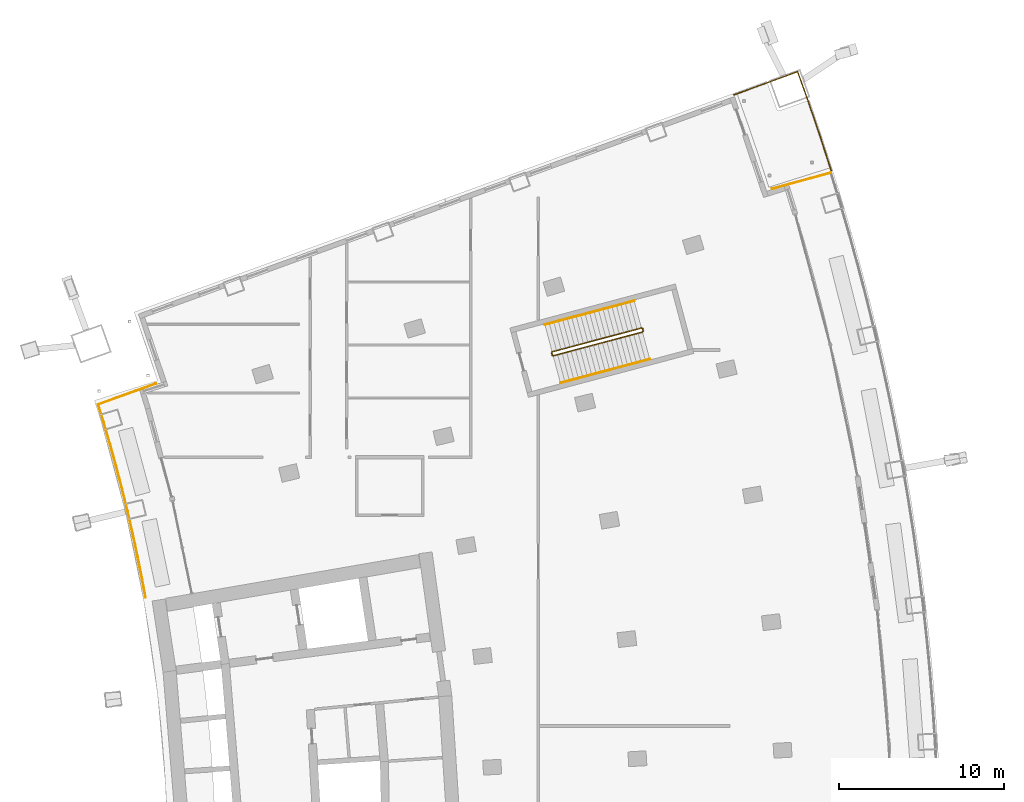
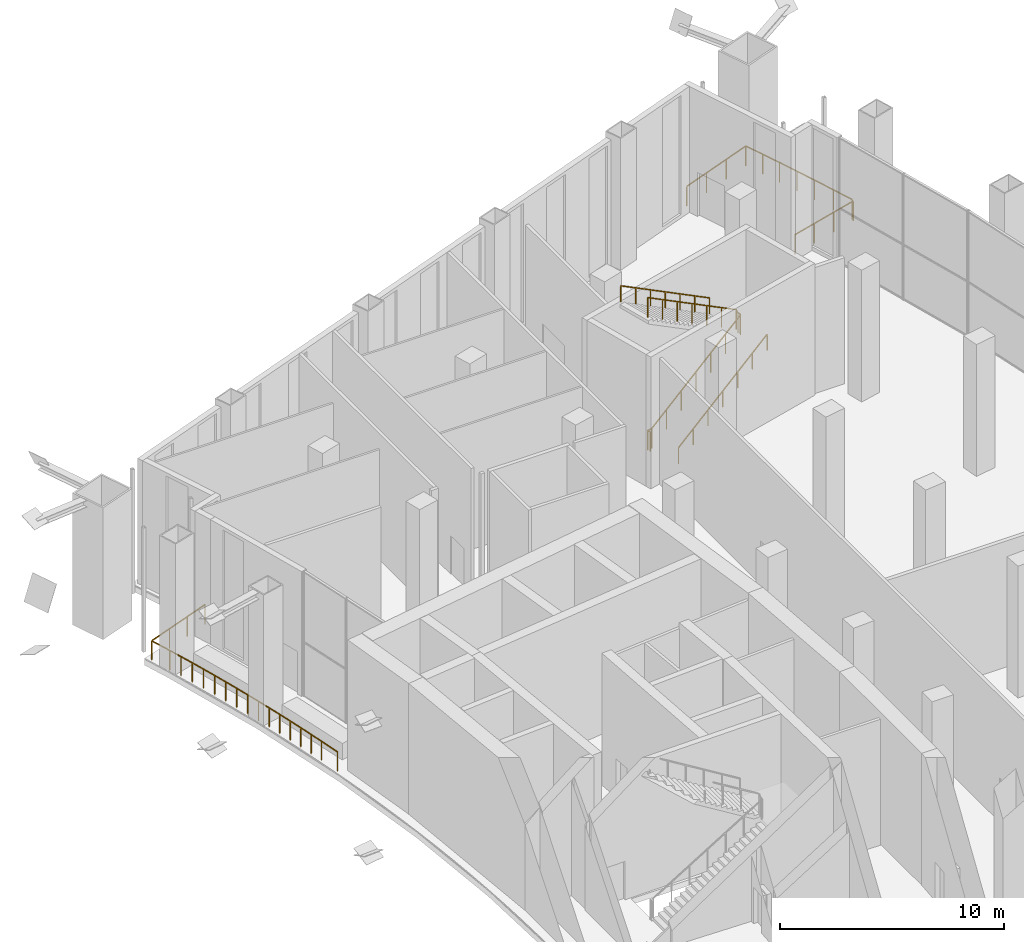
# One storey, part 26 of 27: 7 railings.
"""IFC4 building model written with IfcOpenShell, lengths in metres."""

from ifc_helpers import new_model, si_unit, direction, frame, origin, origin_2d, place, context, subcontext, project, spatial, rectangle, extrude, material, type_object, element, save


model = new_model("IFC4")

# Units and contexts
model_context = context("Model", 3, precision=1e-05, world=origin(), true_north=direction((0.0, 1.0)))
body_context = subcontext(model_context, "Body", "Model", "MODEL_VIEW")
ifc_project = project(units=[si_unit("LENGTHUNIT", "METRE"), si_unit("AREAUNIT", "SQUARE_METRE"), si_unit("VOLUMEUNIT", "CUBIC_METRE"), si_unit("PLANEANGLEUNIT", "RADIAN"), si_unit("MASSUNIT", "GRAM", prefix="KILO")], contexts=[model_context])

# Site, building, storey
site_placement = place(None, origin())
site = spatial("IfcSite", under=ifc_project, at=site_placement, CompositionType="ELEMENT")
building_placement = place(site_placement, origin())
building = spatial("IfcBuilding", under=site, at=building_placement, Name="Alderwake Tower", CompositionType="ELEMENT")
storey_placement = place(building_placement, frame((0.0, 0.0, 75.199951171875)))
storey = spatial("IfcBuildingStorey", under=building, at=storey_placement, Name="L18", CompositionType="ELEMENT", Elevation=75.199951171875)

# Railings
ifc_material_1 = material(Name="Stainless steel 316 rail and posts", Category="steel")
railing_type_1 = type_object("IfcRailingType", Name="Balcony guard 1100", PredefinedType="GUARDRAIL", material=ifc_material_1)
railing_1_placement = place(storey_placement, frame((56.12060546875, 103.831298828125, 0.0)))
element("IfcRailing", 1, at=railing_1_placement, inside=storey, type_object=railing_type_1, Name="Guard terrace FN", PredefinedType="GUARDRAIL", context=body_context, shape_type="SweptSolid", body=[
    extrude(rectangle(XDim=0.048095703125, YDim=0.048095703125, at=origin_2d()), frame((0.0, 0.0, 1.076171875), z_axis=(-0.307834534449, 0.951439908455, 0.0), x_axis=(-0.951439908455, -0.307834534449, 0.0)), (0.0, 0.0, 1.0), 2.281005859375),
    extrude(rectangle(XDim=0.048095703125, YDim=0.048095703125, at=origin_2d()), frame((-0.7021484375, 2.170166015625, 1.076171875), z_axis=(-0.322274982341, 0.946646098475, 0.0), x_axis=(-0.946646098475, -0.322274982341, 0.0)), (0.0, 0.0, 1.0), 2.0810546875),
    extrude(rectangle(XDim=0.048095703125, YDim=0.048095703125, at=origin_2d()), frame((-1.372802734375, 4.14013671875, 1.076171875), z_axis=(-0.335680571726, 0.941975877486, 0.0), x_axis=(-0.941975877486, -0.335680571726, 0.0)), (0.0, 0.0, 1.0), 1.981201171875),
    extrude(rectangle(XDim=0.048095703125, YDim=0.048095703125, at=origin_2d()), frame((-2.037841796875, 6.00634765625, 1.076171875), z_axis=(-0.939605522223, -0.34225934992, 0.0), x_axis=(0.34225934992, -0.939605522223, 0.0)), (0.0, 0.0, 1.0), 4.10009765625),
    extrude(rectangle(XDim=0.0419921875, YDim=0.0419921875, at=origin_2d()), frame((0.0, 0.0, 0.0), z_axis=(0.0, 0.0, 1.0), x_axis=(-0.307834534449, 0.951439908455, 0.0)), (0.0, 0.0, 1.0), 1.052001953125),
    extrude(rectangle(XDim=0.0419921875, YDim=0.0419921875, at=origin_2d()), frame((-0.35107421875, 1.0849609375, 0.0), z_axis=(0.0, 0.0, 1.0), x_axis=(-0.307834534449, 0.951439908455, 0.0)), (0.0, 0.0, 1.0), 1.052001953125),
    extrude(rectangle(XDim=0.0419921875, YDim=0.0419921875, at=origin_2d()), frame((-0.7021484375, 2.170166015625, 0.0), z_axis=(0.0, 0.0, 1.0), x_axis=(-0.322274982341, 0.946646098475, 0.0)), (0.0, 0.0, 1.0), 1.052001953125),
    extrude(rectangle(XDim=0.0419921875, YDim=0.0419921875, at=origin_2d()), frame((-1.03759765625, 3.1552734375, 0.0), z_axis=(0.0, 0.0, 1.0), x_axis=(-0.322274982341, 0.946646098475, 0.0)), (0.0, 0.0, 1.0), 1.052001953125),
    extrude(rectangle(XDim=0.0419921875, YDim=0.0419921875, at=origin_2d()), frame((-1.372802734375, 4.14013671875, 0.0), z_axis=(0.0, 0.0, 1.0), x_axis=(-0.335680571726, 0.941975877486, 0.0)), (0.0, 0.0, 1.0), 1.052001953125),
    extrude(rectangle(XDim=0.0419921875, YDim=0.0419921875, at=origin_2d()), frame((-1.705322265625, 5.0732421875, 0.0), z_axis=(0.0, 0.0, 1.0), x_axis=(-0.335680571726, 0.941975877486, 0.0)), (0.0, 0.0, 1.0), 1.052001953125),
    extrude(rectangle(XDim=0.0419921875, YDim=0.0419921875, at=origin_2d()), frame((-2.037841796875, 6.00634765625, 0.0), z_axis=(0.0, 0.0, 1.0), x_axis=(-0.939605522223, -0.34225934992, 0.0)), (0.0, 0.0, 1.0), 1.052001953125),
    extrude(rectangle(XDim=0.0419921875, YDim=0.0419921875, at=origin_2d()), frame((-3.322021484375, 5.53857421875, 0.0), z_axis=(0.0, 0.0, 1.0), x_axis=(-0.939605522223, -0.34225934992, 0.0)), (0.0, 0.0, 1.0), 1.052001953125),
    extrude(rectangle(XDim=0.0419921875, YDim=0.0419921875, at=origin_2d()), frame((-4.606201171875, 5.07080078125, 0.0), z_axis=(0.0, 0.0, 1.0), x_axis=(-0.939605522223, -0.34225934992, 0.0)), (0.0, 0.0, 1.0), 1.052001953125),
    extrude(rectangle(XDim=0.0419921875, YDim=0.0419921875, at=origin_2d()), frame((-5.890380859375, 4.60302734375, 0.0), z_axis=(0.0, 0.0, 1.0), x_axis=(-0.939605522223, -0.34225934992, 0.0)), (0.0, 0.0, 1.0), 1.052001953125),
])
railing_2_placement = place(storey_placement, frame((56.102783203125, 103.720703125, 0.0)))
element("IfcRailing", 2, at=railing_2_placement, inside=storey, type_object=railing_type_1, Name="Guard garden terrace front end", PredefinedType="GUARDRAIL", context=body_context, shape_type="SweptSolid", body=[
    extrude(rectangle(XDim=0.048095703125, YDim=0.048095703125, at=origin_2d()), frame((0.0, 0.0, 1.076171875), z_axis=(-0.964899114691, -0.262620826419, 0.0), x_axis=(0.262620826419, -0.964899114691, 0.0)), (0.0, 0.0, 1.0), 3.70263671875),
    extrude(rectangle(XDim=0.0419921875, YDim=0.0419921875, at=origin_2d()), frame((0.0, 0.0, 0.0), z_axis=(0.0, 0.0, 1.0), x_axis=(-0.964899114691, -0.262620826419, 0.0)), (0.0, 0.0, 1.0), 1.052001953125),
    extrude(rectangle(XDim=0.0419921875, YDim=0.0419921875, at=origin_2d()), frame((-1.19091796875, -0.32421875, 0.0), z_axis=(0.0, 0.0, 1.0), x_axis=(-0.964899114691, -0.262620826419, 0.0)), (0.0, 0.0, 1.0), 1.052001953125),
    extrude(rectangle(XDim=0.0419921875, YDim=0.0419921875, at=origin_2d()), frame((-2.3818359375, -0.648193359375, 0.0), z_axis=(0.0, 0.0, 1.0), x_axis=(-0.964899114691, -0.262620826419, 0.0)), (0.0, 0.0, 1.0), 1.052001953125),
    extrude(rectangle(XDim=0.0419921875, YDim=0.0419921875, at=origin_2d()), frame((-3.57275390625, -0.972412109375, 0.0), z_axis=(0.0, 0.0, 1.0), x_axis=(-0.964899114691, -0.262620826419, 0.0)), (0.0, 0.0, 1.0), 1.052001953125),
])
railing_3_placement = place(storey_placement, frame((14.62890625, 78.035888671875, 0.0)))
element("IfcRailing", 3, at=railing_3_placement, inside=storey, type_object=railing_type_1, Name="Guard garden terrace rear", PredefinedType="GUARDRAIL", context=body_context, shape_type="SweptSolid", body=[
    extrude(rectangle(XDim=0.048095703125, YDim=0.048095703125, at=origin_2d()), frame((0.0, 0.0, 1.076171875), z_axis=(-0.182977626426, 0.983117077579, 0.0), x_axis=(-0.983117077579, -0.182977626426, 0.0)), (0.0, 0.0, 1.0), 1.10205078125),
    extrude(rectangle(XDim=0.048095703125, YDim=0.048095703125, at=origin_2d()), frame((-0.20166015625, 1.08349609375, 1.076171875), z_axis=(-0.1955468343, 0.980694364007, 0.0), x_axis=(-0.980694364007, -0.1955468343, 0.0)), (0.0, 0.0, 1.0), 1.402099609375),
    extrude(rectangle(XDim=0.048095703125, YDim=0.048095703125, at=origin_2d()), frame((-0.475830078125, 2.45849609375, 1.076171875), z_axis=(-0.209957084556, 0.977710602707, 0.0), x_axis=(-0.977710602707, -0.209957084556, 0.0)), (0.0, 0.0, 1.0), 1.40234375),
    extrude(rectangle(XDim=0.048095703125, YDim=0.048095703125, at=origin_2d()), frame((-0.770263671875, 3.82958984375, 1.076171875), z_axis=(-0.224096426432, 0.974566976488, 0.0), x_axis=(-0.974566976488, -0.224096426432, 0.0)), (0.0, 0.0, 1.0), 1.402099609375),
    extrude(rectangle(XDim=0.048095703125, YDim=0.048095703125, at=origin_2d()), frame((-1.08447265625, 5.196044921875, 1.076171875), z_axis=(-0.238354767213, 0.971178153042, 0.0), x_axis=(-0.971178153042, -0.238354767213, 0.0)), (0.0, 0.0, 1.0), 1.40234375),
    extrude(rectangle(XDim=0.048095703125, YDim=0.048095703125, at=origin_2d()), frame((-1.418701171875, 6.557861328125, 1.076171875), z_axis=(-0.252478602314, 0.96760247797, 0.0), x_axis=(-0.96760247797, -0.252478602314, 0.0)), (0.0, 0.0, 1.0), 1.402099609375),
    extrude(rectangle(XDim=0.048095703125, YDim=0.048095703125, at=origin_2d()), frame((-1.772705078125, 7.91455078125, 1.076171875), z_axis=(-0.266386460688, 0.963866304817, 0.0), x_axis=(-0.963866304817, -0.266386460688, 0.0)), (0.0, 0.0, 1.0), 1.40234375),
    extrude(rectangle(XDim=0.048095703125, YDim=0.048095703125, at=origin_2d()), frame((-2.146240234375, 9.26611328125, 1.076171875), z_axis=(-0.280695326574, 0.959796923125, 0.0), x_axis=(-0.959796923125, -0.280695326574, 0.0)), (0.0, 0.0, 1.0), 1.402099609375),
    extrude(rectangle(XDim=0.048095703125, YDim=0.048095703125, at=origin_2d()), frame((-2.539794921875, 10.61181640625, 1.076171875), z_axis=(-0.293011807358, 0.95610882265, 0.0), x_axis=(-0.95610882265, -0.293011807358, 0.0)), (0.0, 0.0, 1.0), 1.102294921875),
    extrude(rectangle(XDim=0.0419921875, YDim=0.0419921875, at=origin_2d()), frame((0.0, 0.0, 0.0), z_axis=(0.0, 0.0, 1.0), x_axis=(-0.182977626426, 0.983117077579, 0.0)), (0.0, 0.0, 1.0), 1.052001953125),
    extrude(rectangle(XDim=0.0419921875, YDim=0.0419921875, at=origin_2d()), frame((-0.20166015625, 1.08349609375, 0.0), z_axis=(0.0, 0.0, 1.0), x_axis=(-0.1955468343, 0.980694364007, 0.0)), (0.0, 0.0, 1.0), 1.052001953125),
    extrude(rectangle(XDim=0.0419921875, YDim=0.0419921875, at=origin_2d()), frame((-0.3388671875, 1.77099609375, 0.0), z_axis=(0.0, 0.0, 1.0), x_axis=(-0.1955468343, 0.980694364007, 0.0)), (0.0, 0.0, 1.0), 1.052001953125),
    extrude(rectangle(XDim=0.0419921875, YDim=0.0419921875, at=origin_2d()), frame((-0.475830078125, 2.45849609375, 0.0), z_axis=(0.0, 0.0, 1.0), x_axis=(-0.209957084556, 0.977710602707, 0.0)), (0.0, 0.0, 1.0), 1.052001953125),
    extrude(rectangle(XDim=0.0419921875, YDim=0.0419921875, at=origin_2d()), frame((-0.623046875, 3.14404296875, 0.0), z_axis=(0.0, 0.0, 1.0), x_axis=(-0.209957084556, 0.977710602707, 0.0)), (0.0, 0.0, 1.0), 1.052001953125),
    extrude(rectangle(XDim=0.0419921875, YDim=0.0419921875, at=origin_2d()), frame((-0.770263671875, 3.82958984375, 0.0), z_axis=(0.0, 0.0, 1.0), x_axis=(-0.224096426432, 0.974566976488, 0.0)), (0.0, 0.0, 1.0), 1.052001953125),
    extrude(rectangle(XDim=0.0419921875, YDim=0.0419921875, at=origin_2d()), frame((-0.92724609375, 4.5126953125, 0.0), z_axis=(0.0, 0.0, 1.0), x_axis=(-0.224096426432, 0.974566976488, 0.0)), (0.0, 0.0, 1.0), 1.052001953125),
    extrude(rectangle(XDim=0.0419921875, YDim=0.0419921875, at=origin_2d()), frame((-1.08447265625, 5.196044921875, 0.0), z_axis=(0.0, 0.0, 1.0), x_axis=(-0.238354767213, 0.971178153042, 0.0)), (0.0, 0.0, 1.0), 1.052001953125),
    extrude(rectangle(XDim=0.0419921875, YDim=0.0419921875, at=origin_2d()), frame((-1.25146484375, 5.876953125, 0.0), z_axis=(0.0, 0.0, 1.0), x_axis=(-0.238354767213, 0.971178153042, 0.0)), (0.0, 0.0, 1.0), 1.052001953125),
    extrude(rectangle(XDim=0.0419921875, YDim=0.0419921875, at=origin_2d()), frame((-1.418701171875, 6.557861328125, 0.0), z_axis=(0.0, 0.0, 1.0), x_axis=(-0.252478602314, 0.96760247797, 0.0)), (0.0, 0.0, 1.0), 1.052001953125),
    extrude(rectangle(XDim=0.0419921875, YDim=0.0419921875, at=origin_2d()), frame((-1.595703125, 7.236328125, 0.0), z_axis=(0.0, 0.0, 1.0), x_axis=(-0.252478602314, 0.96760247797, 0.0)), (0.0, 0.0, 1.0), 1.052001953125),
    extrude(rectangle(XDim=0.0419921875, YDim=0.0419921875, at=origin_2d()), frame((-1.772705078125, 7.91455078125, 0.0), z_axis=(0.0, 0.0, 1.0), x_axis=(-0.266386460688, 0.963866304817, 0.0)), (0.0, 0.0, 1.0), 1.052001953125),
    extrude(rectangle(XDim=0.0419921875, YDim=0.0419921875, at=origin_2d()), frame((-1.95947265625, 8.59033203125, 0.0), z_axis=(0.0, 0.0, 1.0), x_axis=(-0.266386460688, 0.963866304817, 0.0)), (0.0, 0.0, 1.0), 1.052001953125),
    extrude(rectangle(XDim=0.0419921875, YDim=0.0419921875, at=origin_2d()), frame((-2.146240234375, 9.26611328125, 0.0), z_axis=(0.0, 0.0, 1.0), x_axis=(-0.280695326574, 0.959796923125, 0.0)), (0.0, 0.0, 1.0), 1.052001953125),
    extrude(rectangle(XDim=0.0419921875, YDim=0.0419921875, at=origin_2d()), frame((-2.343017578125, 9.93896484375, 0.0), z_axis=(0.0, 0.0, 1.0), x_axis=(-0.280695326574, 0.959796923125, 0.0)), (0.0, 0.0, 1.0), 1.052001953125),
    extrude(rectangle(XDim=0.0419921875, YDim=0.0419921875, at=origin_2d()), frame((-2.539794921875, 10.61181640625, 0.0), z_axis=(0.0, 0.0, 1.0), x_axis=(-0.293011807358, 0.95610882265, 0.0)), (0.0, 0.0, 1.0), 1.052001953125),
    extrude(rectangle(XDim=0.0419921875, YDim=0.0419921875, at=origin_2d()), frame((-2.86279296875, 11.665771484375, 0.0), z_axis=(0.0, 0.0, 1.0), x_axis=(-0.293011807358, 0.95610882265, 0.0)), (0.0, 0.0, 1.0), 1.052001953125),
])
railing_4_placement = place(storey_placement, frame((11.76611328125, 89.70166015625, 0.0)))
element("IfcRailing", 4, at=railing_4_placement, inside=storey, type_object=railing_type_1, Name="Guard garden terrace rear end", PredefinedType="GUARDRAIL", context=body_context, shape_type="SweptSolid", body=[
    extrude(rectangle(XDim=0.048095703125, YDim=0.048095703125, at=origin_2d()), frame((0.0, 0.0, 1.076171875), z_axis=(0.940490122312, 0.33982102618, 0.0), x_axis=(-0.33982102618, 0.940490122312, 0.0)), (0.0, 0.0, 1.0), 3.70361328125),
    extrude(rectangle(XDim=0.0419921875, YDim=0.0419921875, at=origin_2d()), frame((0.0, 0.0, 0.0), z_axis=(0.0, 0.0, 1.0), x_axis=(0.940490122312, 0.33982102618, 0.0)), (0.0, 0.0, 1.0), 1.052001953125),
    extrude(rectangle(XDim=0.0419921875, YDim=0.0419921875, at=origin_2d()), frame((1.1611328125, 0.41943359375, 0.0), z_axis=(0.0, 0.0, 1.0), x_axis=(0.940490122312, 0.33982102618, 0.0)), (0.0, 0.0, 1.0), 1.052001953125),
    extrude(rectangle(XDim=0.0419921875, YDim=0.0419921875, at=origin_2d()), frame((2.322021484375, 0.839111328125, 0.0), z_axis=(0.0, 0.0, 1.0), x_axis=(0.940490122312, 0.33982102618, 0.0)), (0.0, 0.0, 1.0), 1.052001953125),
    extrude(rectangle(XDim=0.0419921875, YDim=0.0419921875, at=origin_2d()), frame((3.483154296875, 1.258544921875, 0.0), z_axis=(0.0, 0.0, 1.0), x_axis=(0.940490122312, 0.33982102618, 0.0)), (0.0, 0.0, 1.0), 1.052001953125),
])
ifc_material_2 = material(Name="Stainless steel guard", Category="steel")
railing_type_2 = type_object("IfcRailingType", Name="Stair guard 1100", PredefinedType="GUARDRAIL", material=ifc_material_2)
railing_5_placement = place(storey_placement, frame((39.23291015625, 92.6806640625, 0.0)))
element("IfcRailing", 5, at=railing_5_placement, inside=storey, type_object=railing_type_2, Name="L18 ST-A stair guard 1", PredefinedType="GUARDRAIL", context=body_context, shape_type="SweptSolid", body=[
    extrude(rectangle(XDim=0.048095703125, YDim=0.048095703125, at=origin_2d()), frame((0.0, 0.0, 1.076171875), z_axis=(-0.257055032184, 0.966396766566, 0.0), x_axis=(-0.966396766566, -0.257055032184, 0.0)), (0.0, 0.0, 1.0), 0.150146484375),
    extrude(rectangle(XDim=0.048095703125, YDim=0.048095703125, at=origin_2d()), frame((-0.03857421875, 0.14501953125, 1.076171875), z_axis=(0.372402481115, -0.672873920646, 0.639184698638), x_axis=(0.874937996095, 0.484234966715, 0.0)), (0.0, 0.0, 1.0), 0.26806640625),
    extrude(rectangle(XDim=0.048095703125, YDim=0.048095703125, at=origin_2d()), frame((0.061279296875, -0.035400390625, 1.24755859375), z_axis=(0.824109601868, 0.219514689349, 0.522165361996), x_axis=(-0.257391295463, 0.966307260151, 0.0)), (0.0, 0.0, 1.0), 6.56640625),
    extrude(rectangle(XDim=0.048095703125, YDim=0.048095703125, at=origin_2d()), frame((5.47265625, 1.406005859375, 4.67626953125), z_axis=(0.500220121494, 0.865898279276, 0.0), x_axis=(-0.865898279276, 0.500220121494, 0.0)), (0.0, 0.0, 1.0), 0.07080078125),
    extrude(rectangle(XDim=0.048095703125, YDim=0.048095703125, at=origin_2d()), frame((5.508056640625, 1.46728515625, 4.67626953125), z_axis=(-0.257459803502, 0.966289009345, 0.0), x_axis=(-0.966289009345, -0.257459803502, 0.0)), (0.0, 0.0, 1.0), 0.14990234375),
    extrude(rectangle(XDim=0.048095703125, YDim=0.048095703125, at=origin_2d()), frame((5.469482421875, 1.612060546875, 4.67626953125), z_axis=(-0.330400185694, 0.192184968571, 0.924067451623), x_axis=(-0.502800015978, -0.864402767194, 0.0)), (0.0, 0.0, 1.0), 0.185546875),
    extrude(rectangle(XDim=0.048095703125, YDim=0.048095703125, at=origin_2d()), frame((5.408203125, 1.647705078125, 4.84765625), z_axis=(-0.824125601407, -0.219518951081, 0.522138318094), x_axis=(0.257391295463, -0.966307260151, 0.0)), (0.0, 0.0, 1.0), 6.566162109375),
    extrude(rectangle(XDim=0.0419921875, YDim=0.0419921875, at=origin_2d()), frame((0.0, 0.0, 0.0), z_axis=(0.0, 0.0, 1.0), x_axis=(-0.257055032184, 0.966396766566, 0.0)), (0.0, 0.0, 1.0), 1.052001953125),
    extrude(rectangle(XDim=0.0419921875, YDim=0.0419921875, at=origin_2d()), frame((-0.03857421875, 0.14501953125, 0.0), z_axis=(0.0, 0.0, 1.0), x_axis=(0.484234966715, -0.874937996095, 0.0)), (0.0, 0.0, 1.0), 1.052001953125),
    extrude(rectangle(XDim=0.0419921875, YDim=0.0419921875, at=origin_2d()), frame((0.061279296875, -0.035400390625, 0.17138671875), z_axis=(0.0, 0.0, 1.0), x_axis=(0.966307260151, 0.257391295463, 0.0)), (0.0, 0.0, 1.0), 1.052001953125),
    extrude(rectangle(XDim=0.0419921875, YDim=0.0419921875, at=origin_2d()), frame((0.963134765625, 0.204833984375, 0.742919921875), z_axis=(0.0, 0.0, 1.0), x_axis=(0.966307260151, 0.257391295463, 0.0)), (0.0, 0.0, 1.0), 1.052001953125),
    extrude(rectangle(XDim=0.0419921875, YDim=0.0419921875, at=origin_2d()), frame((1.864990234375, 0.445068359375, 1.314208984375), z_axis=(0.0, 0.0, 1.0), x_axis=(0.966307260151, 0.257391295463, 0.0)), (0.0, 0.0, 1.0), 1.052001953125),
    extrude(rectangle(XDim=0.0419921875, YDim=0.0419921875, at=origin_2d()), frame((2.76708984375, 0.685302734375, 1.8857421875), z_axis=(0.0, 0.0, 1.0), x_axis=(0.966307260151, 0.257391295463, 0.0)), (0.0, 0.0, 1.0), 1.052001953125),
    extrude(rectangle(XDim=0.0419921875, YDim=0.0419921875, at=origin_2d()), frame((3.6689453125, 0.925537109375, 2.457275390625), z_axis=(0.0, 0.0, 1.0), x_axis=(0.966307260151, 0.257391295463, 0.0)), (0.0, 0.0, 1.0), 1.052001953125),
    extrude(rectangle(XDim=0.0419921875, YDim=0.0419921875, at=origin_2d()), frame((4.57080078125, 1.165771484375, 3.028564453125), z_axis=(0.0, 0.0, 1.0), x_axis=(0.966307260151, 0.257391295463, 0.0)), (0.0, 0.0, 1.0), 1.052001953125),
    extrude(rectangle(XDim=0.0419921875, YDim=0.0419921875, at=origin_2d()), frame((5.47265625, 1.406005859375, 3.60009765625), z_axis=(0.0, 0.0, 1.0), x_axis=(0.500220121494, 0.865898279276, 0.0)), (0.0, 0.0, 1.0), 1.052001953125),
    extrude(rectangle(XDim=0.0419921875, YDim=0.0419921875, at=origin_2d()), frame((5.508056640625, 1.46728515625, 3.60009765625), z_axis=(0.0, 0.0, 1.0), x_axis=(-0.257459803502, 0.966289009345, 0.0)), (0.0, 0.0, 1.0), 1.052001953125),
    extrude(rectangle(XDim=0.0419921875, YDim=0.0419921875, at=origin_2d()), frame((5.469482421875, 1.612060546875, 3.60009765625), z_axis=(0.0, 0.0, 1.0), x_axis=(-0.864402767194, 0.502800015978, 0.0)), (0.0, 0.0, 1.0), 1.052001953125),
    extrude(rectangle(XDim=0.0419921875, YDim=0.0419921875, at=origin_2d()), frame((5.408203125, 1.647705078125, 3.771484375), z_axis=(0.0, 0.0, 1.0), x_axis=(-0.966307260151, -0.257391295463, 0.0)), (0.0, 0.0, 1.0), 1.052001953125),
    extrude(rectangle(XDim=0.0419921875, YDim=0.0419921875, at=origin_2d()), frame((4.50634765625, 1.407470703125, 4.3427734375), z_axis=(0.0, 0.0, 1.0), x_axis=(-0.966307260151, -0.257391295463, 0.0)), (0.0, 0.0, 1.0), 1.052001953125),
    extrude(rectangle(XDim=0.0419921875, YDim=0.0419921875, at=origin_2d()), frame((3.6044921875, 1.167236328125, 4.914306640625), z_axis=(0.0, 0.0, 1.0), x_axis=(-0.966307260151, -0.257391295463, 0.0)), (0.0, 0.0, 1.0), 1.052001953125),
    extrude(rectangle(XDim=0.0419921875, YDim=0.0419921875, at=origin_2d()), frame((2.70263671875, 0.927001953125, 5.48583984375), z_axis=(0.0, 0.0, 1.0), x_axis=(-0.966307260151, -0.257391295463, 0.0)), (0.0, 0.0, 1.0), 1.052001953125),
    extrude(rectangle(XDim=0.0419921875, YDim=0.0419921875, at=origin_2d()), frame((1.800537109375, 0.686767578125, 6.05712890625), z_axis=(0.0, 0.0, 1.0), x_axis=(-0.966307260151, -0.257391295463, 0.0)), (0.0, 0.0, 1.0), 1.052001953125),
    extrude(rectangle(XDim=0.0419921875, YDim=0.0419921875, at=origin_2d()), frame((0.898681640625, 0.446533203125, 6.62841796875), z_axis=(0.0, 0.0, 1.0), x_axis=(-0.966307260151, -0.257391295463, 0.0)), (0.0, 0.0, 1.0), 1.052001953125),
    extrude(rectangle(XDim=0.0419921875, YDim=0.0419921875, at=origin_2d()), frame((-0.003173828125, 0.206298828125, 7.199951171875), z_axis=(0.0, 0.0, 1.0), x_axis=(-0.966307260151, -0.257391295463, 0.0)), (0.0, 0.0, 1.0), 1.052001953125),
])
ifc_material_3 = material(Name="Stainless steel handrail", Category="steel")
railing_type_3 = type_object("IfcRailingType", Name="Stair handrail 900", PredefinedType="HANDRAIL", material=ifc_material_3)
railing_6_placement = place(storey_placement, frame((39.731689453125, 91.002685546875, 0.17138671875)))
element("IfcRailing", 6, at=railing_6_placement, inside=storey, type_object=railing_type_3, Name="L18 ST-A stair handrail 1", PredefinedType="HANDRAIL", context=body_context, shape_type="SweptSolid", body=[
    extrude(rectangle(XDim=0.048095703125, YDim=0.048095703125, at=origin_2d()), frame((0.0, 0.0, 0.8759765625), z_axis=(0.824116327519, 0.219479299858, 0.522169623446), x_axis=(-0.257350586944, 0.966318102593, 0.0)), (0.0, 0.0, 1.0), 6.566162109375),
    extrude(rectangle(XDim=0.0419921875, YDim=0.0419921875, at=origin_2d()), frame((0.0, 0.0, 0.0), z_axis=(0.0, 0.0, 1.0), x_axis=(0.966318102593, 0.257350586944, 0.0)), (0.0, 0.0, 1.0), 0.851806640625),
    extrude(rectangle(XDim=0.0419921875, YDim=0.0419921875, at=origin_2d()), frame((0.90185546875, 0.240234375, 0.571533203125), z_axis=(0.0, 0.0, 1.0), x_axis=(0.966318102593, 0.257350586944, 0.0)), (0.0, 0.0, 1.0), 0.851806640625),
    extrude(rectangle(XDim=0.0419921875, YDim=0.0419921875, at=origin_2d()), frame((1.8037109375, 0.48046875, 1.142822265625), z_axis=(0.0, 0.0, 1.0), x_axis=(0.966318102593, 0.257350586944, 0.0)), (0.0, 0.0, 1.0), 0.851806640625),
    extrude(rectangle(XDim=0.0419921875, YDim=0.0419921875, at=origin_2d()), frame((2.70556640625, 0.720703125, 1.71435546875), z_axis=(0.0, 0.0, 1.0), x_axis=(0.966318102593, 0.257350586944, 0.0)), (0.0, 0.0, 1.0), 0.851806640625),
    extrude(rectangle(XDim=0.0419921875, YDim=0.0419921875, at=origin_2d()), frame((3.607666015625, 0.960693359375, 2.285888671875), z_axis=(0.0, 0.0, 1.0), x_axis=(0.966318102593, 0.257350586944, 0.0)), (0.0, 0.0, 1.0), 0.851806640625),
    extrude(rectangle(XDim=0.0419921875, YDim=0.0419921875, at=origin_2d()), frame((4.509521484375, 1.200927734375, 2.857177734375), z_axis=(0.0, 0.0, 1.0), x_axis=(0.966318102593, 0.257350586944, 0.0)), (0.0, 0.0, 1.0), 0.851806640625),
    extrude(rectangle(XDim=0.0419921875, YDim=0.0419921875, at=origin_2d()), frame((5.411376953125, 1.441162109375, 3.4287109375), z_axis=(0.0, 0.0, 1.0), x_axis=(0.966318102593, 0.257350586944, 0.0)), (0.0, 0.0, 1.0), 0.851806640625),
])
railing_7_placement = place(storey_placement, frame((44.20361328125, 95.970947265625, 3.771484375)))
element("IfcRailing", 7, at=railing_7_placement, inside=storey, type_object=railing_type_3, Name="L18 ST-A stair handrail 2", PredefinedType="HANDRAIL", context=body_context, shape_type="SweptSolid", body=[
    extrude(rectangle(XDim=0.048095703125, YDim=0.048095703125, at=origin_2d()), frame((0.0, 0.0, 0.8759765625), z_axis=(-0.824125601407, -0.219518951081, 0.522138318094), x_axis=(0.257391295463, -0.966307260151, 0.0)), (0.0, 0.0, 1.0), 6.566162109375),
    extrude(rectangle(XDim=0.0419921875, YDim=0.0419921875, at=origin_2d()), frame((0.0, 0.0, 0.0), z_axis=(0.0, 0.0, 1.0), x_axis=(-0.966307260151, -0.257391295463, 0.0)), (0.0, 0.0, 1.0), 0.851806640625),
    extrude(rectangle(XDim=0.0419921875, YDim=0.0419921875, at=origin_2d()), frame((-0.90185546875, -0.240234375, 0.5712890625), z_axis=(0.0, 0.0, 1.0), x_axis=(-0.966307260151, -0.257391295463, 0.0)), (0.0, 0.0, 1.0), 0.851806640625),
    extrude(rectangle(XDim=0.0419921875, YDim=0.0419921875, at=origin_2d()), frame((-1.8037109375, -0.48046875, 1.142822265625), z_axis=(0.0, 0.0, 1.0), x_axis=(-0.966307260151, -0.257391295463, 0.0)), (0.0, 0.0, 1.0), 0.851806640625),
    extrude(rectangle(XDim=0.0419921875, YDim=0.0419921875, at=origin_2d()), frame((-2.70556640625, -0.720703125, 1.71435546875), z_axis=(0.0, 0.0, 1.0), x_axis=(-0.966307260151, -0.257391295463, 0.0)), (0.0, 0.0, 1.0), 0.851806640625),
    extrude(rectangle(XDim=0.0419921875, YDim=0.0419921875, at=origin_2d()), frame((-3.607666015625, -0.9609375, 2.28564453125), z_axis=(0.0, 0.0, 1.0), x_axis=(-0.966307260151, -0.257391295463, 0.0)), (0.0, 0.0, 1.0), 0.851806640625),
    extrude(rectangle(XDim=0.0419921875, YDim=0.0419921875, at=origin_2d()), frame((-4.509521484375, -1.201171875, 2.85693359375), z_axis=(0.0, 0.0, 1.0), x_axis=(-0.966307260151, -0.257391295463, 0.0)), (0.0, 0.0, 1.0), 0.851806640625),
    extrude(rectangle(XDim=0.0419921875, YDim=0.0419921875, at=origin_2d()), frame((-5.411376953125, -1.44140625, 3.428466796875), z_axis=(0.0, 0.0, 1.0), x_axis=(-0.966307260151, -0.257391295463, 0.0)), (0.0, 0.0, 1.0), 0.851806640625),
])

save(model, "model.ifc")
